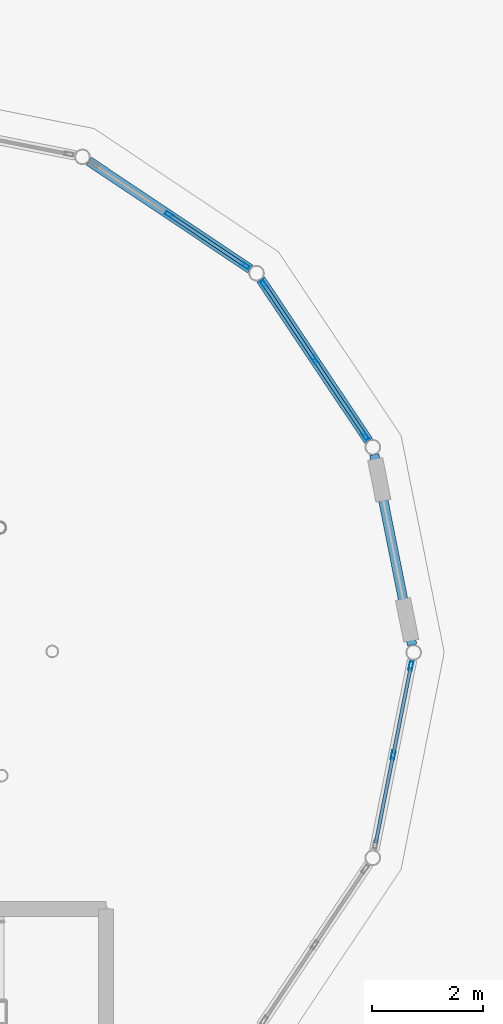
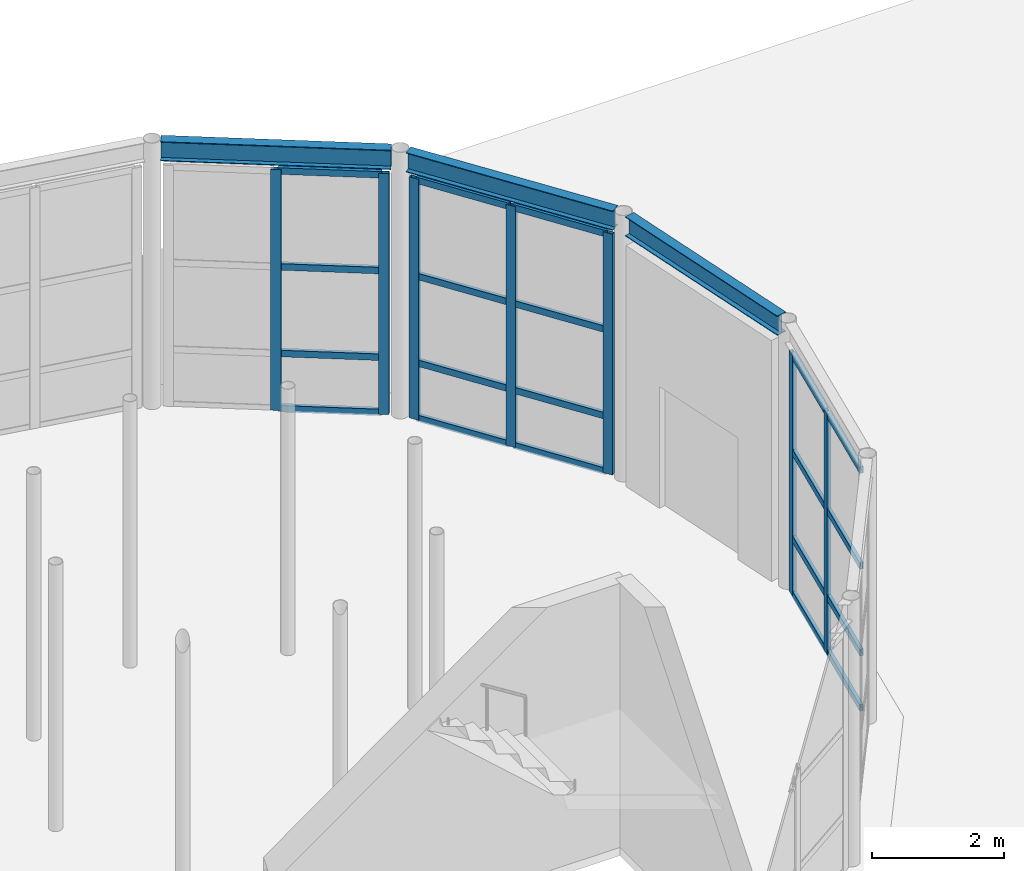
# One storey, part 29 of 57: 27 members, 3 beams, 3 elements without a shape of their own.
"""IFC4 building model written with IfcOpenShell, lengths in metres."""

from ifc_helpers import new_model, si_unit, direction, frame, origin, origin_2d, place, context, subcontext, project, spatial, hollow_rectangle, i_section, extrude, material, layer, layer_set, material_profile, profile_set, type_object, element, aggregate, save


model = new_model("IFC4")

# Units and contexts
model_context = context("Model", 3, precision=1e-05, world=origin(), true_north=direction((0.0, 1.0)))
body_context = subcontext(model_context, "Body", "Model", "MODEL_VIEW")
ifc_project = project(units=[si_unit("LENGTHUNIT", "METRE"), si_unit("AREAUNIT", "SQUARE_METRE"), si_unit("VOLUMEUNIT", "CUBIC_METRE"), si_unit("PLANEANGLEUNIT", "RADIAN"), si_unit("MASSUNIT", "GRAM", prefix="KILO")], contexts=[model_context])

# Site, building, storey
site_placement = place(None, origin())
site = spatial("IfcSite", under=ifc_project, at=site_placement, CompositionType="ELEMENT")
building_placement = place(site_placement, origin())
building = spatial("IfcBuilding", under=site, at=building_placement, Name="Kharisveld Research Institute", CompositionType="ELEMENT")
storey_placement = place(building_placement, origin())
storey = spatial("IfcBuildingStorey", under=building, at=storey_placement, Name="L00", CompositionType="ELEMENT", Elevation=0.0)

# Beams
ifc_material_1 = material(Name="Steel S355JR", Category="steel")
ifc_material_profile_1 = material_profile(ifc_material_1, i_section(OverallWidth=0.169921875, OverallDepth=0.360107421875, WebThickness=0.008056640625, FlangeThickness=0.0126953125, at=origin_2d()))
ifc_profile_set_1 = profile_set([ifc_material_profile_1], Name="Steel S355JR")
beam_type = type_object("IfcBeamType", Name="BM_ST_IPE360", PredefinedType="BEAM", material=ifc_profile_set_1)
beam_1_placement = place(storey_placement, frame((69.123291015625, 50.933837890625, 4.739990234375), z_axis=(-0.1950405249, 0.980795184351, 0.0), x_axis=(-0.980795184351, -0.1950405249, 0.0)))
element("IfcBeam", 1, at=beam_1_placement, inside=storey, type_object=beam_type, Name="BM:V6:L00:RING00", PredefinedType="BEAM", context=body_context, shape_type="SweptSolid", body=[
    extrude(i_section(OverallWidth=0.169921875, OverallDepth=0.360107421875, WebThickness=0.008056640625, FlangeThickness=0.0126953125, at=origin_2d()), origin(), (0.0, 0.0, 1.0), 3.492431640625),
])
beam_2_placement = place(storey_placement, frame((68.339599609375, 54.6064453125, 4.739990234375), z_axis=(-0.555587219906, 0.831458261777, 0.0), x_axis=(-0.831458261777, -0.555587219906, 0.0)))
element("IfcBeam", 2, at=beam_2_placement, inside=storey, type_object=beam_type, Name="BM:V6:L00:RING01", PredefinedType="BEAM", context=body_context, shape_type="SweptSolid", body=[
    extrude(i_section(OverallWidth=0.169921875, OverallDepth=0.360107421875, WebThickness=0.008056640625, FlangeThickness=0.0126953125, at=origin_2d()), origin(), (0.0, 0.0, 1.0), 3.4921875),
])
beam_3_placement = place(storey_placement, frame((66.210205078125, 57.699462890625, 4.739990234375), z_axis=(-0.831479839999, 0.555554925885, 0.0), x_axis=(-0.555554925885, -0.831479839999, 0.0)))
element("IfcBeam", 3, at=beam_3_placement, inside=storey, type_object=beam_type, Name="BM:V6:L00:RING02", PredefinedType="BEAM", context=body_context, shape_type="SweptSolid", body=[
    extrude(i_section(OverallWidth=0.169921875, OverallDepth=0.360107421875, WebThickness=0.008056640625, FlangeThickness=0.0126953125, at=origin_2d()), origin(), (0.0, 0.0, 1.0), 3.492431640625),
])

# Curtain wall, members
ifc_material_2 = material(Name="Thermally Broken Aluminium Curtain Wall", Category="aluminium")
ifc_layer_1 = layer(ifc_material_2, 0.159912109375)
ifc_layer_set_1 = layer_set([ifc_layer_1], Name="CW_SYS_05")
curtain_wall_type_1 = type_object("IfcCurtainWallType", Name="CW_SYS_05", PredefinedType="NOTDEFINED", material=ifc_layer_set_1)
curtain_wall_1_placement = place(storey_placement, origin())
curtain_wall_1 = element("IfcCurtainWall", 4, at=curtain_wall_1_placement, inside=storey, type_object=curtain_wall_type_1, Name="CW:V6:L00:CHORD01", PredefinedType="NOTDEFINED")
ifc_material_3 = material(Name="Anodised Aluminium AW-6063-T6", Category="aluminium")
ifc_material_profile_2 = material_profile(ifc_material_3, hollow_rectangle(XDim=0.06494140625, YDim=0.159912109375, WallThickness=0.00390625, at=origin_2d()))
ifc_profile_set_2 = profile_set([ifc_material_profile_2], Name="Anodised Aluminium AW-6063-T6")
member_type_1 = type_object("IfcMemberType", Name="CW_MUL_160", PredefinedType="MULLION", material=ifc_profile_set_2)
member_1_placement = place(storey_placement, frame((66.461181640625, 57.417724609375, 0.0), z_axis=(0.0, 0.0, 1.0), x_axis=(0.831469694616, 0.555570109828, 0.0)))
member_1 = element("IfcMember", 5, at=member_1_placement, type_object=member_type_1, Name="CW-05 mullion 1", PredefinedType="MULLION", context=body_context, shape_type="SweptSolid", body=[
    extrude(hollow_rectangle(XDim=0.06494140625, YDim=0.159912109375, WallThickness=0.00390625, at=origin_2d()), origin(), (0.0, 0.0, 1.0), 4.449951171875),
])
member_2_placement = place(storey_placement, frame((67.36962890625, 56.058349609375, 0.0), z_axis=(0.0, 0.0, 1.0), x_axis=(0.831469694616, 0.555570109828, 0.0)))
member_2 = element("IfcMember", 6, at=member_2_placement, type_object=member_type_1, Name="CW-05 mullion 2", PredefinedType="MULLION", context=body_context, shape_type="SweptSolid", body=[
    extrude(hollow_rectangle(XDim=0.06494140625, YDim=0.159912109375, WallThickness=0.00390625, at=origin_2d()), origin(), (0.0, 0.0, 1.0), 4.449951171875),
])
member_3_placement = place(storey_placement, frame((68.27783203125, 54.69873046875, 0.0), z_axis=(0.0, 0.0, 1.0), x_axis=(0.831469694616, 0.555570109828, 0.0)))
member_3 = element("IfcMember", 7, at=member_3_placement, type_object=member_type_1, Name="CW-05 mullion 3", PredefinedType="MULLION", context=body_context, shape_type="SweptSolid", body=[
    extrude(hollow_rectangle(XDim=0.06494140625, YDim=0.159912109375, WallThickness=0.00390625, at=origin_2d()), origin(), (0.0, 0.0, 1.0), 4.449951171875),
])

ifc_material_4 = material(Name="Thermally Broken Aluminium Curtain Wall", Category="aluminium")
ifc_layer_2 = layer(ifc_material_4, 0.159912109375)
ifc_layer_set_2 = layer_set([ifc_layer_2], Name="CW_SYS_06")
curtain_wall_type_2 = type_object("IfcCurtainWallType", Name="CW_SYS_06", PredefinedType="NOTDEFINED", material=ifc_layer_set_2)
curtain_wall_2_placement = place(storey_placement, origin())
curtain_wall_2 = element("IfcCurtainWall", 8, at=curtain_wall_2_placement, inside=storey, type_object=curtain_wall_type_2, Name="CW:V6:L00:CHORD02", PredefinedType="NOTDEFINED")
member_4_placement = place(storey_placement, frame((64.75830078125, 58.66943359375, 0.0), z_axis=(0.0, 0.0, 1.0), x_axis=(0.555570109828, 0.831469694616, 0.0)))
member_4 = element("IfcMember", 9, at=member_4_placement, type_object=member_type_1, Name="CW-06 mullion 2", PredefinedType="MULLION", context=body_context, shape_type="SweptSolid", body=[
    extrude(hollow_rectangle(XDim=0.06494140625, YDim=0.159912109375, WallThickness=0.00390625, at=origin_2d()), origin(), (0.0, 0.0, 1.0), 4.449951171875),
])
member_5_placement = place(storey_placement, frame((66.11767578125, 57.760986328125, 0.0), z_axis=(0.0, 0.0, 1.0), x_axis=(0.555570109828, 0.831469694616, 0.0)))
member_5 = element("IfcMember", 10, at=member_5_placement, type_object=member_type_1, Name="CW-06 mullion 3", PredefinedType="MULLION", context=body_context, shape_type="SweptSolid", body=[
    extrude(hollow_rectangle(XDim=0.06494140625, YDim=0.159912109375, WallThickness=0.00390625, at=origin_2d()), origin(), (0.0, 0.0, 1.0), 4.449951171875),
])

curtain_wall_3_placement = place(storey_placement, origin())
curtain_wall_3 = element("IfcCurtainWall", 11, at=curtain_wall_3_placement, inside=storey, type_object=curtain_wall_type_2, Name="CW:V6:L00:CHORD15", PredefinedType="NOTDEFINED")
member_6_placement = place(storey_placement, frame((69.101806640625, 50.557373046875, 0.0), z_axis=(0.0, 0.0, 1.0), x_axis=(0.980785199106, -0.195090730724, 0.0)))
member_6 = element("IfcMember", 12, at=member_6_placement, type_object=member_type_1, Name="CW-06 mullion 1", PredefinedType="MULLION", context=body_context, shape_type="SweptSolid", body=[
    extrude(hollow_rectangle(XDim=0.06494140625, YDim=0.159912109375, WallThickness=0.00390625, at=origin_2d()), origin(), (0.0, 0.0, 1.0), 4.449951171875),
])
member_7_placement = place(storey_placement, frame((68.78271484375, 48.95361328125, 0.0), z_axis=(0.0, 0.0, 1.0), x_axis=(0.980785199106, -0.195090730724, 0.0)))
member_7 = element("IfcMember", 13, at=member_7_placement, type_object=member_type_1, Name="CW-06 mullion 2", PredefinedType="MULLION", context=body_context, shape_type="SweptSolid", body=[
    extrude(hollow_rectangle(XDim=0.06494140625, YDim=0.159912109375, WallThickness=0.00390625, at=origin_2d()), origin(), (0.0, 0.0, 1.0), 4.449951171875),
])

# Member
ifc_material_5 = material(Name="Anodised Aluminium AW-6063-T6", Category="aluminium")
ifc_material_profile_3 = material_profile(ifc_material_5, hollow_rectangle(XDim=0.06005859375, YDim=0.1201171875, WallThickness=0.00390625, at=origin_2d()))
ifc_profile_set_3 = profile_set([ifc_material_profile_3], Name="Anodised Aluminium AW-6063-T6")
member_type_2 = type_object("IfcMemberType", Name="CW_TRN_120", PredefinedType="USERDEFINED", material=ifc_profile_set_3)
member_8_placement = place(storey_placement, frame((66.479248046875, 57.390869140625, 0.030029296875), z_axis=(0.555525156147, -0.831499729939, 0.0), x_axis=(0.831499729939, 0.555525156147, 0.0)))
member_8 = element("IfcMember", 14, at=member_8_placement, type_object=member_type_2, Name="CW-05 transom 1.1", ObjectType="TRANSOM", PredefinedType="USERDEFINED", context=body_context, shape_type="SweptSolid", body=[
    extrude(hollow_rectangle(XDim=0.06005859375, YDim=0.1201171875, WallThickness=0.00390625, at=origin_2d()), origin(), (0.0, 0.0, 1.0), 1.5703125),
])

member_9_placement = place(storey_placement, frame((66.479248046875, 57.390869140625, 1.050048828125), z_axis=(0.555525156147, -0.831499729939, 0.0), x_axis=(0.831499729939, 0.555525156147, 0.0)))
member_9 = element("IfcMember", 15, at=member_9_placement, type_object=member_type_2, Name="CW-05 transom 1.2", ObjectType="TRANSOM", PredefinedType="USERDEFINED", context=body_context, shape_type="SweptSolid", body=[
    extrude(hollow_rectangle(XDim=0.06005859375, YDim=0.1201171875, WallThickness=0.00390625, at=origin_2d()), origin(), (0.0, 0.0, 1.0), 1.5703125),
])

member_10_placement = place(storey_placement, frame((66.479248046875, 57.390869140625, 2.64990234375), z_axis=(0.555525156147, -0.831499729939, 0.0), x_axis=(0.831499729939, 0.555525156147, 0.0)))
member_10 = element("IfcMember", 16, at=member_10_placement, type_object=member_type_2, Name="CW-05 transom 1.3", ObjectType="TRANSOM", PredefinedType="USERDEFINED", context=body_context, shape_type="SweptSolid", body=[
    extrude(hollow_rectangle(XDim=0.06005859375, YDim=0.1201171875, WallThickness=0.00390625, at=origin_2d()), origin(), (0.0, 0.0, 1.0), 1.5703125),
])

member_11_placement = place(storey_placement, frame((66.479248046875, 57.390869140625, 4.419921875), z_axis=(0.555525156147, -0.831499729939, 0.0), x_axis=(0.831499729939, 0.555525156147, 0.0)))
member_11 = element("IfcMember", 17, at=member_11_placement, type_object=member_type_2, Name="CW-05 transom 1.4", ObjectType="TRANSOM", PredefinedType="USERDEFINED", context=body_context, shape_type="SweptSolid", body=[
    extrude(hollow_rectangle(XDim=0.06005859375, YDim=0.1201171875, WallThickness=0.00390625, at=origin_2d()), origin(), (0.0, 0.0, 1.0), 1.5703125),
])

member_12_placement = place(storey_placement, frame((67.387451171875, 56.03125, 0.030029296875), z_axis=(0.555525156147, -0.831499729939, 0.0), x_axis=(0.831499729939, 0.555525156147, 0.0)))
member_12 = element("IfcMember", 18, at=member_12_placement, type_object=member_type_2, Name="CW-05 transom 2.1", ObjectType="TRANSOM", PredefinedType="USERDEFINED", context=body_context, shape_type="SweptSolid", body=[
    extrude(hollow_rectangle(XDim=0.06005859375, YDim=0.1201171875, WallThickness=0.00390625, at=origin_2d()), origin(), (0.0, 0.0, 1.0), 1.5703125),
])

member_13_placement = place(storey_placement, frame((67.387451171875, 56.03125, 1.050048828125), z_axis=(0.555525156147, -0.831499729939, 0.0), x_axis=(0.831499729939, 0.555525156147, 0.0)))
member_13 = element("IfcMember", 19, at=member_13_placement, type_object=member_type_2, Name="CW-05 transom 2.2", ObjectType="TRANSOM", PredefinedType="USERDEFINED", context=body_context, shape_type="SweptSolid", body=[
    extrude(hollow_rectangle(XDim=0.06005859375, YDim=0.1201171875, WallThickness=0.00390625, at=origin_2d()), origin(), (0.0, 0.0, 1.0), 1.5703125),
])

member_14_placement = place(storey_placement, frame((67.387451171875, 56.03125, 2.64990234375), z_axis=(0.555525156147, -0.831499729939, 0.0), x_axis=(0.831499729939, 0.555525156147, 0.0)))
member_14 = element("IfcMember", 20, at=member_14_placement, type_object=member_type_2, Name="CW-05 transom 2.3", ObjectType="TRANSOM", PredefinedType="USERDEFINED", context=body_context, shape_type="SweptSolid", body=[
    extrude(hollow_rectangle(XDim=0.06005859375, YDim=0.1201171875, WallThickness=0.00390625, at=origin_2d()), origin(), (0.0, 0.0, 1.0), 1.5703125),
])

member_15_placement = place(storey_placement, frame((67.387451171875, 56.03125, 4.419921875), z_axis=(0.555525156147, -0.831499729939, 0.0), x_axis=(0.831499729939, 0.555525156147, 0.0)))
member_15 = element("IfcMember", 21, at=member_15_placement, type_object=member_type_2, Name="CW-05 transom 2.4", ObjectType="TRANSOM", PredefinedType="USERDEFINED", context=body_context, shape_type="SweptSolid", body=[
    extrude(hollow_rectangle(XDim=0.06005859375, YDim=0.1201171875, WallThickness=0.00390625, at=origin_2d()), origin(), (0.0, 0.0, 1.0), 1.5703125),
])

aggregate(curtain_wall_1, [member_1, member_2, member_3, member_8, member_9, member_10, member_11, member_12, member_13, member_14, member_15])

member_16_placement = place(storey_placement, frame((64.78515625, 58.6513671875, 0.030029296875), z_axis=(0.831499729939, -0.555525156147, 0.0), x_axis=(0.555525156147, 0.831499729939, 0.0)))
member_16 = element("IfcMember", 22, at=member_16_placement, type_object=member_type_2, Name="CW-06 transom 2.1", ObjectType="TRANSOM", PredefinedType="USERDEFINED", context=body_context, shape_type="SweptSolid", body=[
    extrude(hollow_rectangle(XDim=0.06005859375, YDim=0.1201171875, WallThickness=0.00390625, at=origin_2d()), origin(), (0.0, 0.0, 1.0), 1.5703125),
])

member_17_placement = place(storey_placement, frame((64.78515625, 58.6513671875, 1.050048828125), z_axis=(0.831499729939, -0.555525156147, 0.0), x_axis=(0.555525156147, 0.831499729939, 0.0)))
member_17 = element("IfcMember", 23, at=member_17_placement, type_object=member_type_2, Name="CW-06 transom 2.2", ObjectType="TRANSOM", PredefinedType="USERDEFINED", context=body_context, shape_type="SweptSolid", body=[
    extrude(hollow_rectangle(XDim=0.06005859375, YDim=0.1201171875, WallThickness=0.00390625, at=origin_2d()), origin(), (0.0, 0.0, 1.0), 1.5703125),
])

member_18_placement = place(storey_placement, frame((64.78515625, 58.6513671875, 2.64990234375), z_axis=(0.831499729939, -0.555525156147, 0.0), x_axis=(0.555525156147, 0.831499729939, 0.0)))
member_18 = element("IfcMember", 24, at=member_18_placement, type_object=member_type_2, Name="CW-06 transom 2.3", ObjectType="TRANSOM", PredefinedType="USERDEFINED", context=body_context, shape_type="SweptSolid", body=[
    extrude(hollow_rectangle(XDim=0.06005859375, YDim=0.1201171875, WallThickness=0.00390625, at=origin_2d()), origin(), (0.0, 0.0, 1.0), 1.5703125),
])

member_19_placement = place(storey_placement, frame((64.78515625, 58.6513671875, 4.419921875), z_axis=(0.831499729939, -0.555525156147, 0.0), x_axis=(0.555525156147, 0.831499729939, 0.0)))
member_19 = element("IfcMember", 25, at=member_19_placement, type_object=member_type_2, Name="CW-06 transom 2.4", ObjectType="TRANSOM", PredefinedType="USERDEFINED", context=body_context, shape_type="SweptSolid", body=[
    extrude(hollow_rectangle(XDim=0.06005859375, YDim=0.1201171875, WallThickness=0.00390625, at=origin_2d()), origin(), (0.0, 0.0, 1.0), 1.5703125),
])

aggregate(curtain_wall_2, [member_4, member_5, member_16, member_17, member_18, member_19])

member_20_placement = place(storey_placement, frame((69.095458984375, 50.525390625, 0.030029296875), z_axis=(-0.195129326111, -0.9807775212, 0.0), x_axis=(0.9807775212, -0.195129326111, 0.0)))
member_20 = element("IfcMember", 26, at=member_20_placement, type_object=member_type_2, Name="CW-06 transom 1.1", ObjectType="TRANSOM", PredefinedType="USERDEFINED", context=body_context, shape_type="SweptSolid", body=[
    extrude(hollow_rectangle(XDim=0.06005859375, YDim=0.1201171875, WallThickness=0.00390625, at=origin_2d()), origin(), (0.0, 0.0, 1.0), 1.5703125),
])

member_21_placement = place(storey_placement, frame((69.095458984375, 50.525390625, 1.050048828125), z_axis=(-0.195129326111, -0.9807775212, 0.0), x_axis=(0.9807775212, -0.195129326111, 0.0)))
member_21 = element("IfcMember", 27, at=member_21_placement, type_object=member_type_2, Name="CW-06 transom 1.2", ObjectType="TRANSOM", PredefinedType="USERDEFINED", context=body_context, shape_type="SweptSolid", body=[
    extrude(hollow_rectangle(XDim=0.06005859375, YDim=0.1201171875, WallThickness=0.00390625, at=origin_2d()), origin(), (0.0, 0.0, 1.0), 1.5703125),
])

member_22_placement = place(storey_placement, frame((69.095458984375, 50.525390625, 2.64990234375), z_axis=(-0.195129326111, -0.9807775212, 0.0), x_axis=(0.9807775212, -0.195129326111, 0.0)))
member_22 = element("IfcMember", 28, at=member_22_placement, type_object=member_type_2, Name="CW-06 transom 1.3", ObjectType="TRANSOM", PredefinedType="USERDEFINED", context=body_context, shape_type="SweptSolid", body=[
    extrude(hollow_rectangle(XDim=0.06005859375, YDim=0.1201171875, WallThickness=0.00390625, at=origin_2d()), origin(), (0.0, 0.0, 1.0), 1.5703125),
])

member_23_placement = place(storey_placement, frame((69.095458984375, 50.525390625, 4.419921875), z_axis=(-0.195129326111, -0.9807775212, 0.0), x_axis=(0.9807775212, -0.195129326111, 0.0)))
member_23 = element("IfcMember", 29, at=member_23_placement, type_object=member_type_2, Name="CW-06 transom 1.4", ObjectType="TRANSOM", PredefinedType="USERDEFINED", context=body_context, shape_type="SweptSolid", body=[
    extrude(hollow_rectangle(XDim=0.06005859375, YDim=0.1201171875, WallThickness=0.00390625, at=origin_2d()), origin(), (0.0, 0.0, 1.0), 1.5703125),
])

member_24_placement = place(storey_placement, frame((68.7763671875, 48.921630859375, 0.030029296875), z_axis=(-0.195159086375, -0.980771599816, 0.0), x_axis=(0.980771599816, -0.195159086375, 0.0)))
member_24 = element("IfcMember", 30, at=member_24_placement, type_object=member_type_2, Name="CW-06 transom 2.1", ObjectType="TRANSOM", PredefinedType="USERDEFINED", context=body_context, shape_type="SweptSolid", body=[
    extrude(hollow_rectangle(XDim=0.06005859375, YDim=0.1201171875, WallThickness=0.00390625, at=origin_2d()), origin(), (0.0, 0.0, 1.0), 1.570068359375),
])

member_25_placement = place(storey_placement, frame((68.7763671875, 48.921630859375, 1.050048828125), z_axis=(-0.195159086375, -0.980771599816, 0.0), x_axis=(0.980771599816, -0.195159086375, 0.0)))
member_25 = element("IfcMember", 31, at=member_25_placement, type_object=member_type_2, Name="CW-06 transom 2.2", ObjectType="TRANSOM", PredefinedType="USERDEFINED", context=body_context, shape_type="SweptSolid", body=[
    extrude(hollow_rectangle(XDim=0.06005859375, YDim=0.1201171875, WallThickness=0.00390625, at=origin_2d()), origin(), (0.0, 0.0, 1.0), 1.570068359375),
])

member_26_placement = place(storey_placement, frame((68.7763671875, 48.921630859375, 2.64990234375), z_axis=(-0.195159086375, -0.980771599816, 0.0), x_axis=(0.980771599816, -0.195159086375, 0.0)))
member_26 = element("IfcMember", 32, at=member_26_placement, type_object=member_type_2, Name="CW-06 transom 2.3", ObjectType="TRANSOM", PredefinedType="USERDEFINED", context=body_context, shape_type="SweptSolid", body=[
    extrude(hollow_rectangle(XDim=0.06005859375, YDim=0.1201171875, WallThickness=0.00390625, at=origin_2d()), origin(), (0.0, 0.0, 1.0), 1.570068359375),
])

member_27_placement = place(storey_placement, frame((68.7763671875, 48.921630859375, 4.419921875), z_axis=(-0.195159086375, -0.980771599816, 0.0), x_axis=(0.980771599816, -0.195159086375, 0.0)))
member_27 = element("IfcMember", 33, at=member_27_placement, type_object=member_type_2, Name="CW-06 transom 2.4", ObjectType="TRANSOM", PredefinedType="USERDEFINED", context=body_context, shape_type="SweptSolid", body=[
    extrude(hollow_rectangle(XDim=0.06005859375, YDim=0.1201171875, WallThickness=0.00390625, at=origin_2d()), origin(), (0.0, 0.0, 1.0), 1.570068359375),
])

aggregate(curtain_wall_3, [member_6, member_7, member_20, member_21, member_22, member_23, member_24, member_25, member_26, member_27])

save(model, "model.ifc")
